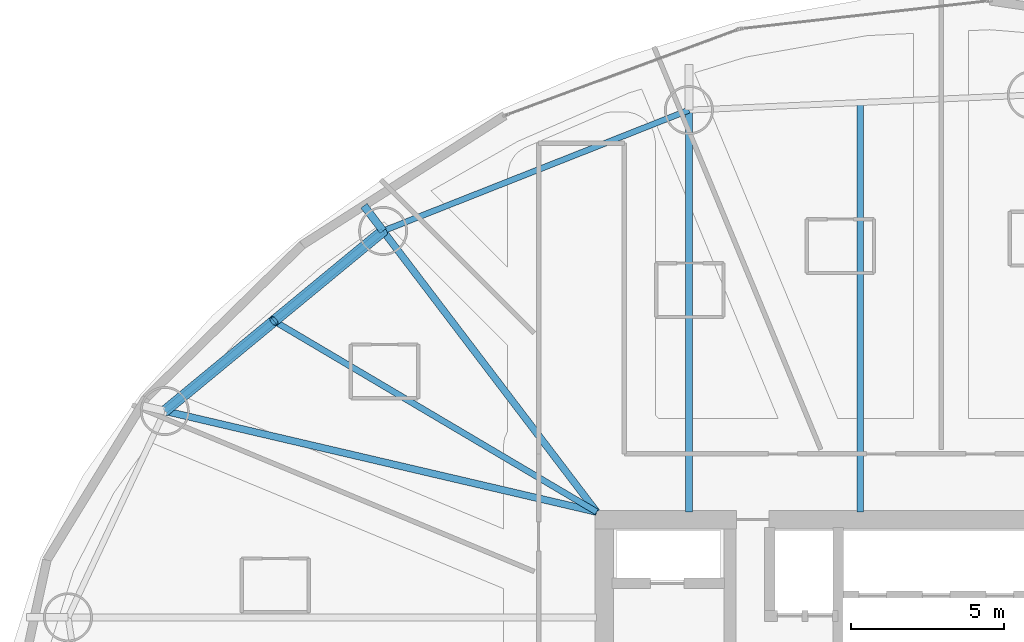
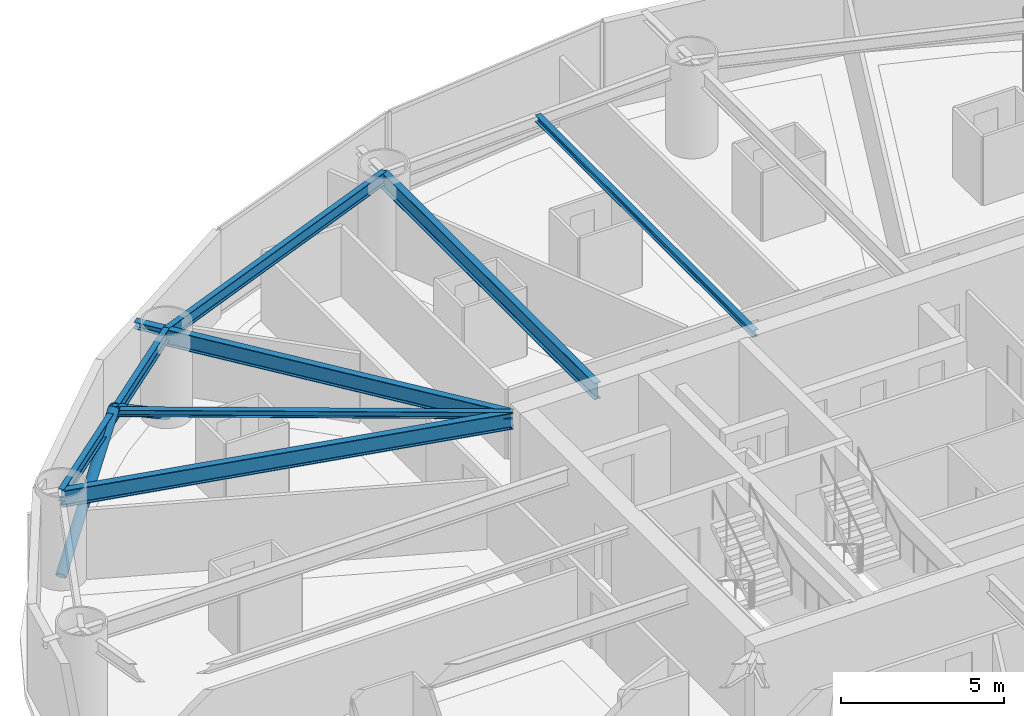
# One storey, part 14 of 27: 8 beams, 2 members.
"""IFC4 building model written with IfcOpenShell, lengths in metres."""

import ifcopenshell
import ifcopenshell.guid

model = None  # the IFC model being written
_history = None  # IfcOwnerHistory: only IFC2X3 demands one
_inside = {}  # id of a spatial element -> (the spatial element, [elements in it])
_under = {}  # id of a project, library or spatial element -> (it, [spatial elements below it])
_declared = {}  # id of a project -> (the project, [libraries it declares])
_typed = {}  # id of a type object -> (the type object, [elements of that type])
_made_of = {}  # id of a material, layer set ... -> (it, [elements and type objects made of it])


def new_model(schema):
    """Start an empty IFC model of exactly this schema.

    Asked for "IFC4X3", IfcOpenShell would pick the latest addendum, in which some entities
    have other attributes; the version numbers below select the first issue.
    IFC2X3 requires an IfcOwnerHistory on every rooted entity: one is made here for all.
    """
    global model, _history
    if schema == "IFC4X3":
        model = ifcopenshell.file(schema_version=(4, 3, 0, 0))
    else:
        model = ifcopenshell.file(schema=schema)
    _inside.clear()
    _under.clear()
    _declared.clear()
    _typed.clear()
    _made_of.clear()
    _history = None
    if model.schema == "IFC2X3":
        org = make("IfcOrganization", Name="unknown")
        user = make(
            "IfcPersonAndOrganization",
            ThePerson=make("IfcPerson", FamilyName="unknown"),
            TheOrganization=org,
        )
        app = make(
            "IfcApplication",
            ApplicationDeveloper=org,
            Version="unknown",
            ApplicationFullName="unknown",
            ApplicationIdentifier="unknown",
        )
        _history = make(
            "IfcOwnerHistory",
            OwningUser=user,
            OwningApplication=app,
            ChangeAction="ADDED",
            CreationDate=0,
        )
    return model


def make(cls, **values):
    """One entity of the class cls with the attributes given. An attribute that is None is left unset."""
    return model.create_entity(
        cls, **{name: value for name, value in values.items() if value is not None}
    )


def rooted(cls, **values):
    """An entity with a GlobalId (a new one), such as an element, a storey or a relation."""
    return make(cls, GlobalId=ifcopenshell.guid.new(), OwnerHistory=_history, **values)


def si_unit(unit_type, name, prefix=None):
    """IfcSIUnit, for example si_unit("LENGTHUNIT", "METRE", prefix="MILLI")."""
    return make("IfcSIUnit", UnitType=unit_type, Prefix=prefix, Name=name)


def assignment(units):
    """IfcUnitAssignment: the units of a project."""
    return None if units is None else make("IfcUnitAssignment", Units=units)


def point(xyz):
    """IfcCartesianPoint."""
    return None if xyz is None else make("IfcCartesianPoint", Coordinates=xyz)


def direction(xyz):
    """IfcDirection."""
    return None if xyz is None else make("IfcDirection", DirectionRatios=xyz)


def frame(location, z_axis=None, x_axis=None):
    """IfcAxis2Placement3D, a coordinate frame: its origin and axes. An axis left out is left unset."""
    return make(
        "IfcAxis2Placement3D",
        Location=point(location),
        Axis=direction(z_axis),
        RefDirection=direction(x_axis),
    )


def frame_2d(location, x_axis=None):
    """IfcAxis2Placement2D, a coordinate frame in the plane: its origin and x axis."""
    return make(
        "IfcAxis2Placement2D", Location=point(location), RefDirection=direction(x_axis)
    )


def origin():
    """The frame at (0, 0, 0) with its axes left unset."""
    return frame((0.0, 0.0, 0.0))


def origin_2d():
    """The frame at (0, 0) in the plane with its x axis left unset."""
    return frame_2d((0.0, 0.0))


def place(relative_to, where):
    """IfcLocalPlacement: puts the frame where relative to a parent placement (None: the world)."""
    return make(
        "IfcLocalPlacement", PlacementRelTo=relative_to, RelativePlacement=where
    )


def context(
    kind, dimensions, precision=None, world=None, true_north=None, identifier=None
):
    """IfcGeometricRepresentationContext, for example the 3D "Model" context."""
    return make(
        "IfcGeometricRepresentationContext",
        ContextIdentifier=identifier,
        ContextType=kind,
        CoordinateSpaceDimension=dimensions,
        Precision=precision,
        WorldCoordinateSystem=world,
        TrueNorth=true_north,
    )


def subcontext(parent, identifier, kind, view, scale=None):
    """IfcGeometricRepresentationSubContext, for example "Body" below "Model"."""
    return make(
        "IfcGeometricRepresentationSubContext",
        ContextIdentifier=identifier,
        ContextType=kind,
        ParentContext=parent,
        TargetScale=scale,
        TargetView=view,
    )


def project(units=None, contexts=None):
    """IfcProject with its units and contexts."""
    return rooted(
        "IfcProject",
        Name="project",
        RepresentationContexts=contexts,
        UnitsInContext=assignment(units),
    )


def spatial(cls, under=None, at=None, **own):
    """A site, building, storey or space (cls), placed at a placement, below another one or the project."""
    s = rooted(cls, ObjectPlacement=at, **own)
    if under is not None:
        _under.setdefault(under.id(), (under, []))[1].append(s)
    return s


def profile(cls, at=None, kind="AREA", **sizes):
    """A parametric profile (cls). Its sizes go by their IFC names, for example OverallWidth=200.0."""
    return make(cls, ProfileType=kind, Position=at, **sizes)


def hollow_circle(**sizes):
    """IfcCircleHollowProfileDef."""
    return profile("IfcCircleHollowProfileDef", **sizes)


def i_section(**sizes):
    """IfcIShapeProfileDef."""
    return profile("IfcIShapeProfileDef", **sizes)


def extrude(swept, where, along, depth):
    """IfcExtrudedAreaSolid: the profile swept, set in the frame where, extruded along a direction by depth."""
    return make(
        "IfcExtrudedAreaSolid",
        SweptArea=swept,
        Position=where,
        ExtrudedDirection=direction(along),
        Depth=depth,
    )


def shape(context_of_items, identifier, shape_type, items):
    """IfcShapeRepresentation: the items that make up one representation, for example the "Body"."""
    return make(
        "IfcShapeRepresentation",
        ContextOfItems=context_of_items,
        RepresentationIdentifier=identifier,
        RepresentationType=shape_type,
        Items=items,
    )


def material(Name=None, Category=None):
    """IfcMaterial."""
    return make("IfcMaterial", Name=Name, Category=Category)


def material_profile(
    of_material, cross_section, Name=None, Category=None, Priority=None
):
    """IfcMaterialProfile: a cross section and its material."""
    return make(
        "IfcMaterialProfile",
        Name=Name,
        Material=of_material,
        Profile=cross_section,
        Priority=Priority,
        Category=Category,
    )


def profile_set(profiles, Name=None, composite=None):
    """IfcMaterialProfileSet."""
    return make(
        "IfcMaterialProfileSet",
        Name=Name,
        MaterialProfiles=profiles,
        CompositeProfile=composite,
    )


def made_of(thing, what):
    """Note that an element or type object is made of a material, layer set ...; save() writes the relation."""
    if what is not None:
        _made_of.setdefault(what.id(), (what, []))[1].append(thing)
    return thing


def type_object(cls, material=None, **own):
    """A type object (cls), such as IfcWallType, which elements share."""
    return made_of(rooted(cls, **own), material)


def element(
    cls,
    number,
    at=None,
    inside=None,
    cuts=None,
    type_object=None,
    material=None,
    context=None,
    identifier="Body",
    shape_type=None,
    held_by="IfcProductDefinitionShape",
    body=None,
    shapes=None,
    **own,
):
    """One element of the class cls, such as IfcWall. Its Tag is "e" and its number.

    at: its placement. inside: the storey or other place that contains it. cuts: it is an
    opening in that element (IfcRelVoidsElement). A single representation is given by context,
    identifier, shape_type and body (its items); several are given by shapes. held_by: the class
    of the entity that holds the representations. save() writes the other relations.
    """
    e = rooted(cls, Tag="e%d" % number, ObjectPlacement=at, **own)
    if body is not None:
        shapes = [shape(context, identifier, shape_type, body)]
    if shapes is not None:
        e.Representation = make(held_by, Representations=shapes)
    if inside is not None:
        _inside.setdefault(inside.id(), (inside, []))[1].append(e)
    if cuts is not None:
        rooted(
            "IfcRelVoidsElement", RelatingBuildingElement=cuts, RelatedOpeningElement=e
        )
    if type_object is not None:
        _typed.setdefault(type_object.id(), (type_object, []))[1].append(e)
    return made_of(e, material)


def aggregate(whole, parts):
    """IfcRelAggregates: a whole, such as a stair, and the parts it consists of."""
    return rooted("IfcRelAggregates", RelatingObject=whole, RelatedObjects=parts)


def save(model, path):
    """Write the relations noted so far, then the file.

    IfcRelAggregates (storeys below a building ...), IfcRelContainedInSpatialStructure (elements
    in a storey), IfcRelDefinesByType, IfcRelAssociatesMaterial and IfcRelDeclares: one each for
    every whole, place, type object, material and project.
    """
    for whole, parts in _under.values():
        aggregate(whole, parts)
    for where, things in _inside.values():
        rooted(
            "IfcRelContainedInSpatialStructure",
            RelatedElements=things,
            RelatingStructure=where,
        )
    for kind, things in _typed.values():
        rooted("IfcRelDefinesByType", RelatedObjects=things, RelatingType=kind)
    for what, things in _made_of.values():
        rooted("IfcRelAssociatesMaterial", RelatedObjects=things, RelatingMaterial=what)
    for by, libraries in _declared.values():
        rooted("IfcRelDeclares", RelatingContext=by, RelatedDefinitions=libraries)
    model.write(path)


model = new_model("IFC4")

# Units and contexts
model_context = context("Model", 3, precision=1e-05, world=origin(), true_north=direction((0.0, 1.0)))
body_context = subcontext(model_context, "Body", "Model", "MODEL_VIEW")
ifc_project = project(units=[si_unit("LENGTHUNIT", "METRE"), si_unit("AREAUNIT", "SQUARE_METRE"), si_unit("VOLUMEUNIT", "CUBIC_METRE"), si_unit("PLANEANGLEUNIT", "RADIAN"), si_unit("MASSUNIT", "GRAM", prefix="KILO")], contexts=[model_context])

# Site, building, storey
site_placement = place(None, origin())
site = spatial("IfcSite", under=ifc_project, at=site_placement, CompositionType="ELEMENT")
building_placement = place(site_placement, origin())
building = spatial("IfcBuilding", under=site, at=building_placement, Name="Bramvorn Convention Spire", CompositionType="ELEMENT")
storey_placement = place(building_placement, frame((0.0, 0.0, 41.39990234375)))
storey = spatial("IfcBuildingStorey", under=building, at=storey_placement, Name="L07", CompositionType="ELEMENT", Elevation=41.39990234375)

# Beams
ifc_material = material(Name="Steel CSA G40.21 Grade 350 (350W)", Category="steel")
ifc_material_profile_1 = material_profile(ifc_material, i_section(OverallWidth=0.201904296875, OverallDepth=0.2470703125, WebThickness=0.00732421875, FlangeThickness=0.010986328125, FilletRadius=0.011962890625, at=origin_2d()))
ifc_profile_set_1 = profile_set([ifc_material_profile_1], Name="Steel CSA G40.21 Grade 350 (350W) - W250X49")
beam_type_1 = type_object("IfcBeamType", Name="BM-W250X49", PredefinedType="JOIST", material=ifc_profile_set_1)
beam_1_placement = place(storey_placement, frame((35.361572265625, 33.449951171875, 3.126708984375), z_axis=(0.0, 1.0, 0.0), x_axis=(-1.0, 0.0, 0.0)))
element("IfcBeam", 1, at=beam_1_placement, inside=storey, type_object=beam_type_1, Name="L07 composite floor joist 05", PredefinedType="JOIST", context=body_context, shape_type="SweptSolid", body=[
    extrude(i_section(OverallWidth=0.201904296875, OverallDepth=0.2470703125, WebThickness=0.00732421875, FlangeThickness=0.010986328125, FilletRadius=0.011962890625, at=origin_2d()), origin(), (0.0, 0.0, 1.0), 13.372802734375),
])
beam_2_placement = place(storey_placement, frame((26.75, 33.449951171875, 3.126708984375), z_axis=(-0.860664556648, 0.509172388223, 0.0), x_axis=(-0.509172388223, -0.860664556648, 0.0)))
element("IfcBeam", 2, at=beam_2_placement, inside=storey, type_object=beam_type_1, Name="L07 composite floor joist 07", PredefinedType="JOIST", context=body_context, shape_type="SweptSolid", body=[
    extrude(i_section(OverallWidth=0.201904296875, OverallDepth=0.2470703125, WebThickness=0.00732421875, FlangeThickness=0.010986328125, FilletRadius=0.011962890625, at=origin_2d()), origin(), (0.0, 0.0, 1.0), 12.25048828125),
])
ifc_material_profile_2 = material_profile(ifc_material, i_section(OverallWidth=0.25390625, OverallDepth=0.2529296875, WebThickness=0.008544921875, FlangeThickness=0.01416015625, FilletRadius=0.011962890625, at=origin_2d()))
ifc_profile_set_2 = profile_set([ifc_material_profile_2], Name="Steel CSA G40.21 Grade 350 (350W) - W250X73")
beam_type_2 = type_object("IfcBeamType", Name="BM-W250X73", PredefinedType="BEAM", material=ifc_profile_set_2)
beam_3_placement = place(storey_placement, frame((19.772216796875, 42.628662109375, 3.12353515625), z_axis=(-0.60516714388, 0.796098441129, 0.0), x_axis=(-0.796098441129, -0.60516714388, 0.0)))
element("IfcBeam", 3, at=beam_3_placement, inside=storey, type_object=beam_type_2, Name="L07 slab-edge cantilever tip beam MC07", PredefinedType="BEAM", context=body_context, shape_type="SweptSolid", body=[
    extrude(i_section(OverallWidth=0.25390625, OverallDepth=0.2529296875, WebThickness=0.008544921875, FlangeThickness=0.01416015625, FilletRadius=0.011962890625, at=origin_2d()), origin(), (0.0, 0.0, 1.0), 1.033203125),
])
ifc_material_profile_3 = material_profile(ifc_material, i_section(OverallWidth=0.194091796875, OverallDepth=0.468994140625, WebThickness=0.0126953125, FlangeThickness=0.0205078125, FilletRadius=0.01806640625, at=origin_2d()))
ifc_profile_set_3 = profile_set([ifc_material_profile_3], Name="Steel CSA G40.21 Grade 350 (350W) - W460X106")
beam_type_3 = type_object("IfcBeamType", Name="BM-W460X106", PredefinedType="SPANDREL", material=ifc_profile_set_3)
beam_4_placement = place(storey_placement, frame((29.76220703125, 46.57666015625, 3.015625), z_axis=(-0.93000950609, -0.367535465749, 0.0), x_axis=(0.367535465749, -0.93000950609, 0.0)))
element("IfcBeam", 4, at=beam_4_placement, inside=storey, type_object=beam_type_3, Name="L07 mega-column ring beam 06", PredefinedType="SPANDREL", context=body_context, shape_type="SweptSolid", body=[
    extrude(i_section(OverallWidth=0.194091796875, OverallDepth=0.468994140625, WebThickness=0.0126953125, FlangeThickness=0.0205078125, FilletRadius=0.01806640625, at=origin_2d()), origin(), (0.0, 0.0, 1.0), 10.74169921875),
])
beam_5_placement = place(storey_placement, frame((19.772216796875, 42.628662109375, 3.015625), z_axis=(-0.771417680101, -0.636329130896, 0.0), x_axis=(0.636329130896, -0.771417680101, 0.0)))
element("IfcBeam", 5, at=beam_5_placement, inside=storey, type_object=beam_type_3, Name="L07 mega-column ring beam 07", PredefinedType="SPANDREL", context=body_context, shape_type="SweptSolid", body=[
    extrude(i_section(OverallWidth=0.194091796875, OverallDepth=0.468994140625, WebThickness=0.0126953125, FlangeThickness=0.0205078125, FilletRadius=0.01806640625, at=origin_2d()), origin(), (0.0, 0.0, 1.0), 9.244140625),
])
ifc_material_profile_4 = material_profile(ifc_material, i_section(OverallWidth=0.22998046875, OverallDepth=0.616943359375, WebThickness=0.01318359375, FlangeThickness=0.022216796875, FilletRadius=0.02001953125, at=origin_2d()))
ifc_profile_set_4 = profile_set([ifc_material_profile_4], Name="Steel CSA G40.21 Grade 350 (350W) - W610X140")
beam_type_4 = type_object("IfcBeamType", Name="BM-W610X140", PredefinedType="BEAM", material=ifc_profile_set_4)
beam_6_placement = place(storey_placement, frame((29.76220703125, 33.449951171875, 2.941650390625), z_axis=(0.0, 1.0, 0.0), x_axis=(-1.0, 0.0, 0.0)))
element("IfcBeam", 6, at=beam_6_placement, inside=storey, type_object=beam_type_4, Name="L07 radial floor girder MC06", PredefinedType="BEAM", context=body_context, shape_type="SweptSolid", body=[
    extrude(i_section(OverallWidth=0.22998046875, OverallDepth=0.616943359375, WebThickness=0.01318359375, FlangeThickness=0.022216796875, FilletRadius=0.02001953125, at=origin_2d()), origin(), (0.0, 0.0, 1.0), 13.126708984375),
])
beam_7_placement = place(storey_placement, frame((26.75, 33.449951171875, 2.941650390625), z_axis=(-0.605191175112, 0.796080172826, 0.0), x_axis=(-0.796080172826, -0.605191175112, 0.0)))
element("IfcBeam", 7, at=beam_7_placement, inside=storey, type_object=beam_type_4, Name="L07 radial floor girder MC07", PredefinedType="BEAM", context=body_context, shape_type="SweptSolid", body=[
    extrude(i_section(OverallWidth=0.22998046875, OverallDepth=0.616943359375, WebThickness=0.01318359375, FlangeThickness=0.022216796875, FilletRadius=0.02001953125, at=origin_2d()), origin(), (0.0, 0.0, 1.0), 11.52978515625),
])
beam_8_placement = place(storey_placement, frame((26.75, 33.449951171875, 2.941650390625), z_axis=(-0.973775294862, 0.227511923018, 0.0), x_axis=(-0.227511923018, -0.973775294862, 0.0)))
element("IfcBeam", 8, at=beam_8_placement, inside=storey, type_object=beam_type_4, Name="L07 radial floor girder MC08", PredefinedType="BEAM", context=body_context, shape_type="SweptSolid", body=[
    extrude(i_section(OverallWidth=0.22998046875, OverallDepth=0.616943359375, WebThickness=0.01318359375, FlangeThickness=0.022216796875, FilletRadius=0.02001953125, at=origin_2d()), origin(), (0.0, 0.0, 1.0), 14.48876953125),
])

# Members
ifc_material_profile_5 = material_profile(ifc_material, hollow_circle(Radius=0.177734375, WallThickness=0.015869140625, at=origin_2d()))
ifc_profile_set_5 = profile_set([ifc_material_profile_5], Name="Steel CSA G40.21 Grade 350 (350W) - CHS356X16")
member_type = type_object("IfcMemberType", Name="MBR-CHS356X16", PredefinedType="BRACE", material=ifc_profile_set_5)
member_1_placement = place(storey_placement, frame((19.772216796875, 42.628662109375, 0.0), z_axis=(-0.631048588012, -0.520523268728, 0.575181020446), x_axis=(0.636316166913, -0.771428373684, 0.0)))
element("IfcMember", 9, at=member_1_placement, inside=storey, type_object=member_type, Name="L07 perimeter Gothic lancet brace 7A", PredefinedType="BRACE", context=body_context, shape_type="SweptSolid", body=[
    extrude(hollow_circle(Radius=0.177734375, WallThickness=0.015869140625, at=origin_2d()), origin(), (0.0, 0.0, 1.0), 5.650390625),
])
member_2_placement = place(storey_placement, frame((12.64111328125, 36.746337890625, 0.0), z_axis=(0.631022585513, 0.520537461495, 0.57519670353), x_axis=(-0.636342095228, 0.771406985865, 0.0)))
element("IfcMember", 10, at=member_2_placement, inside=storey, type_object=member_type, Name="L07 perimeter Gothic lancet brace 7B", PredefinedType="BRACE", context=body_context, shape_type="SweptSolid", body=[
    extrude(hollow_circle(Radius=0.177734375, WallThickness=0.015869140625, at=origin_2d()), origin(), (0.0, 0.0, 1.0), 5.650146484375),
])

save(model, "model.ifc")
